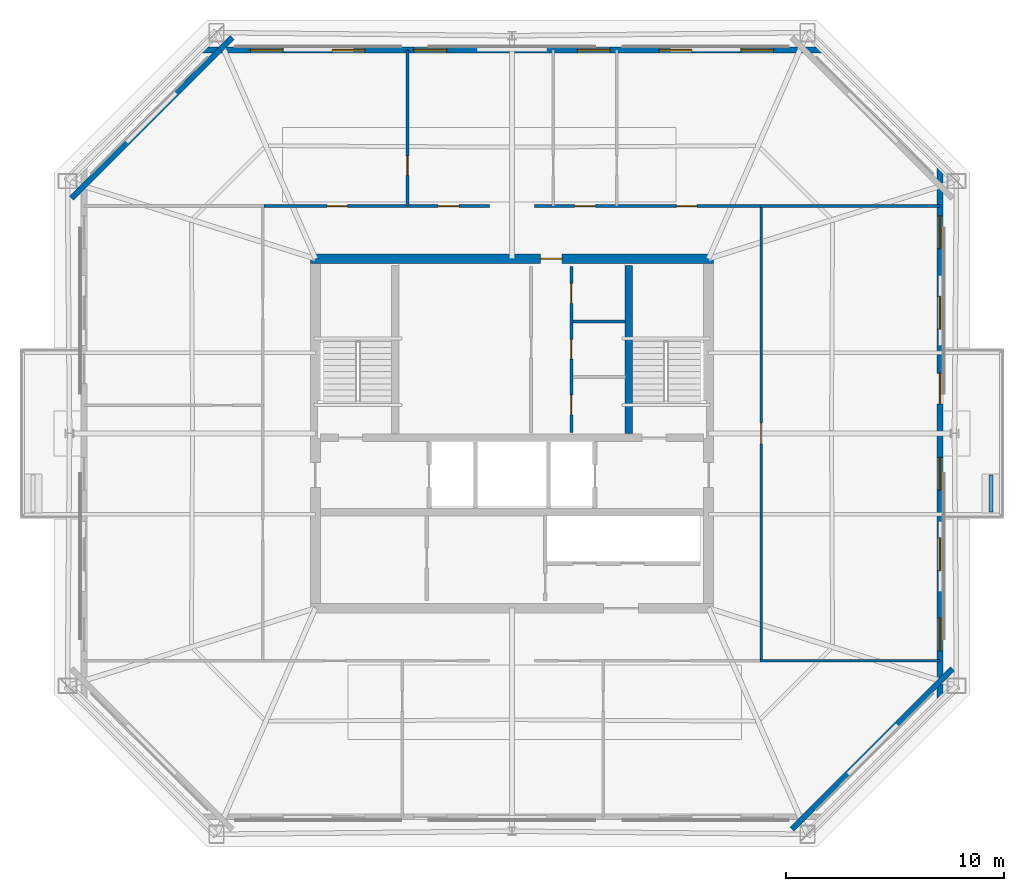
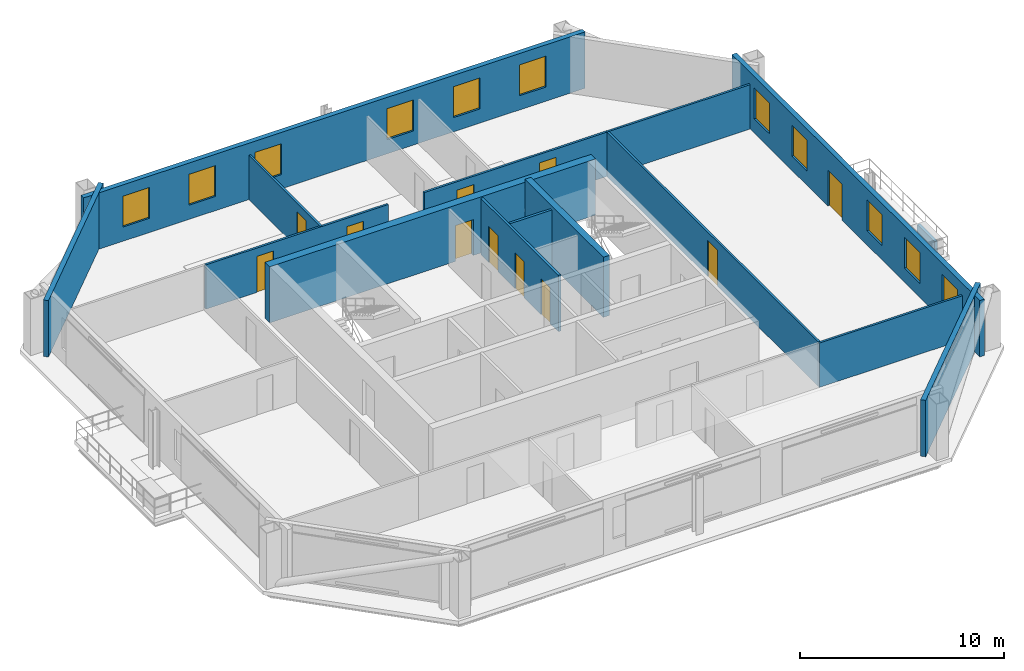
# One storey, part 4 of 7: 15 walls, 11 doors, 11 windows, 22 openings.
"""IFC4 building model written with IfcOpenShell, lengths in metres."""

from ifc_helpers import new_model, si_unit, direction, frame, frame_2d, origin, place, context, subcontext, project, spatial, rectangle, extrude, material, layer, layer_set, type_object, element, fill, save


model = new_model("IFC4")

# Units and contexts
model_context = context("Model", 3, precision=1e-05, world=origin(), true_north=direction((0.0, 1.0)))
body_context = subcontext(model_context, "Body", "Model", "MODEL_VIEW")
ifc_project = project(units=[si_unit("LENGTHUNIT", "METRE"), si_unit("AREAUNIT", "SQUARE_METRE"), si_unit("VOLUMEUNIT", "CUBIC_METRE"), si_unit("PLANEANGLEUNIT", "RADIAN"), si_unit("MASSUNIT", "GRAM", prefix="KILO")], contexts=[model_context])

# Site, building, storey
site_placement = place(None, origin())
site = spatial("IfcSite", under=ifc_project, at=site_placement, CompositionType="ELEMENT")
building_placement = place(site_placement, origin())
building = spatial("IfcBuilding", under=site, at=building_placement, Name="Caelvoria Tower", CompositionType="ELEMENT")
storey_placement = place(building_placement, frame((0.0, 0.0, 220.199951171875)))
storey = spatial("IfcBuildingStorey", under=building, at=storey_placement, Name="L58", CompositionType="ELEMENT", Elevation=220.199951171875)

# Walls
ifc_material_1 = material(Name="Bronze-Clad Concrete C40/50", Category="concrete")
ifc_layer_1 = layer(ifc_material_1, 0.179931640625, Name="Bronze-Clad Concrete C40/50")
ifc_layer_set_1 = layer_set([ifc_layer_1], Name="Architectural Planter Kerb Wall 180 - Bronze-Clad Concrete C40/50")
wall_type_1 = type_object("IfcWallType", Name="Architectural Planter Kerb Wall 180", PredefinedType="PARAPET", material=ifc_layer_set_1)
wall_1_placement = place(storey_placement, frame((67.922607421875, 28.39990234375, 0.0), z_axis=(0.0, 0.0, 1.0), x_axis=(0.0, 1.0, 0.0)))
element("IfcWall", 1, at=wall_1_placement, inside=storey, type_object=wall_type_1, Name="Tree Balcony Planter Kerb PLANTER TB-L58-E", PredefinedType="PARAPET", context=body_context, shape_type="SweptSolid", body=[
    extrude(rectangle(XDim=1.7001953125, YDim=0.179931640625, at=frame_2d((0.85009765625, 0.0))), origin(), (0.0, 0.0, 1.0), 0.880126953125),
])
ifc_material_2 = material(Name="Concrete C50/60", Category="concrete")
ifc_layer_2 = layer(ifc_material_2, 0.35009765625, Name="Concrete C50/60")
ifc_layer_set_2 = layer_set([ifc_layer_2], Name="Core Internal Shear Wall 350 - Concrete C50/60")
wall_type_2 = type_object("IfcWallType", Name="Core Internal Shear Wall 350", PredefinedType="SHEAR", material=ifc_layer_set_2)
wall_2_placement = place(storey_placement, frame((51.35009765625, 32.0, 0.0), z_axis=(0.0, 0.0, 1.0), x_axis=(0.0, 1.0, 0.0)))
element("IfcWall", 2, at=wall_2_placement, inside=storey, type_object=wall_type_2, Name="Interior Partition IW-L58-ST2W", PredefinedType="SHEAR", context=body_context, shape_type="SweptSolid", body=[
    extrude(rectangle(XDim=7.699951171875, YDim=0.35009765625, at=frame_2d((3.85009765625, 0.0))), origin(), (0.0, 0.0, 1.0), 3.60009765625),
])

# Wall, openings, doors
ifc_material_3 = material(Name="Moisture-Resistant Gypsum on Steel Stud", Category="steel")
ifc_layer_3 = layer(ifc_material_3, 0.139892578125, Name="Moisture-Resistant Gypsum on Steel Stud")
ifc_layer_set_3 = layer_set([ifc_layer_3], Name="Core Sanitary Acoustic Partition Wall 140 - Moisture-Resistant Gypsum on Steel Stud")
wall_type_3 = type_object("IfcWallType", Name="Core Sanitary Acoustic Partition Wall 140", PredefinedType="PARTITIONING", material=ifc_layer_set_3)
wall_3_placement = place(storey_placement, frame((48.719970703125, 32.050048828125, 0.0), z_axis=(0.0, 0.0, 1.0), x_axis=(0.0, 1.0, 0.0)))
wall_3 = element("IfcWall", 3, at=wall_3_placement, inside=storey, type_object=wall_type_3, Name="Interior Partition IW-L58-C2R", PredefinedType="PARTITIONING", context=body_context, shape_type="SweptSolid", body=[
    extrude(rectangle(XDim=7.599853515625, YDim=0.139892578125, at=frame_2d((3.7998046875, 0.0))), origin(), (0.0, 0.0, 1.0), 3.375),
])
opening_1_placement = place(wall_3_placement, frame((0.800048828125, 0.0, 0.0)))
opening_1 = element("IfcOpeningElement", 4, at=opening_1_placement, cuts=wall_3, Name="Opening ID-04", PredefinedType="OPENING", context=body_context, shape_type="SweptSolid", body=[
    extrude(rectangle(XDim=0.89990234375, YDim=2.14990234375, at=frame_2d((0.449951171875, 1.074951171875))), frame((0.0, 0.079833984375, 0.0), z_axis=(0.0, -1.0, 0.0), x_axis=(1.0, 0.0, 0.0)), (0.0, 0.0, 1.0), 0.159912109375),
])
opening_2_placement = place(wall_3_placement, frame((3.35009765625, 0.0, 0.0)))
opening_2 = element("IfcOpeningElement", 5, at=opening_2_placement, cuts=wall_3, Name="Opening ID-06", PredefinedType="OPENING", context=body_context, shape_type="SweptSolid", body=[
    extrude(rectangle(XDim=0.89990234375, YDim=2.14990234375, at=frame_2d((0.449951171875, 1.074951171875))), frame((0.0, 0.079833984375, 0.0), z_axis=(0.0, -1.0, 0.0), x_axis=(1.0, 0.0, 0.0)), (0.0, 0.0, 1.0), 0.159912109375),
])
opening_3_placement = place(wall_3_placement, frame((5.89990234375, 0.0, 0.0)))
opening_3 = element("IfcOpeningElement", 6, at=opening_3_placement, cuts=wall_3, Name="Opening ID-07", PredefinedType="OPENING", context=body_context, shape_type="SweptSolid", body=[
    extrude(rectangle(XDim=0.919921875, YDim=2.14990234375, at=frame_2d((0.4599609375, 1.074951171875))), frame((0.0, 0.079833984375, 0.0), z_axis=(0.0, -1.0, 0.0), x_axis=(1.0, 0.0, 0.0)), (0.0, 0.0, 1.0), 0.159912109375),
])
ifc_material_4 = material(Name="Engineered Andean Oak Accessible Door", Category="wood")
door_type_1 = type_object("IfcDoorType", Name="Accessible WC Door 950x2150", OperationType="NOTDEFINED", PredefinedType="DOOR", material=ifc_material_4)
door_1_placement = place(opening_3_placement, origin())
door_1 = element("IfcDoor", 7, at=door_1_placement, inside=storey, type_object=door_type_1, Name="Interior Door DR-L58-C2E3", OperationType="SINGLE_SWING_RIGHT", OverallHeight=2.14990234375, OverallWidth=0.919921875, PredefinedType="DOOR", context=body_context, shape_type="SweptSolid", body=[
    extrude(rectangle(XDim=0.919921875, YDim=2.14990234375, at=frame_2d((0.4599609375, 1.074951171875))), frame((0.0, 0.02490234375, 0.0), z_axis=(0.0, -1.0, 0.0), x_axis=(1.0, 0.0, 0.0)), (0.0, 0.0, 1.0), 0.050048828125),
])
fill(opening_3, door_1)
ifc_material_5 = material(Name="Acoustic Timber Fire Door", Category="wood")
door_type_2 = type_object("IfcDoorType", Name="Fire Door FD30S 900x2150", OperationType="NOTDEFINED", PredefinedType="DOOR", material=ifc_material_5)
door_2_placement = place(opening_1_placement, origin())
door_2 = element("IfcDoor", 8, at=door_2_placement, inside=storey, type_object=door_type_2, Name="Interior Door DR-L58-C2E1", OperationType="SINGLE_SWING_RIGHT", OverallHeight=2.14990234375, OverallWidth=0.89990234375, PredefinedType="DOOR", context=body_context, shape_type="SweptSolid", body=[
    extrude(rectangle(XDim=0.89990234375, YDim=2.14990234375, at=frame_2d((0.449951171875, 1.074951171875))), frame((0.0, 0.02490234375, 0.0), z_axis=(0.0, -1.0, 0.0), x_axis=(1.0, 0.0, 0.0)), (0.0, 0.0, 1.0), 0.050048828125),
])
fill(opening_1, door_2)
ifc_material_6 = material(Name="Engineered Andean Oak Veneer Door", Category="wood")
door_type_3 = type_object("IfcDoorType", Name="Interior Timber Door 900x2150", OperationType="NOTDEFINED", PredefinedType="DOOR", material=ifc_material_6)
door_3_placement = place(opening_2_placement, origin())
door_3 = element("IfcDoor", 9, at=door_3_placement, inside=storey, type_object=door_type_3, Name="Interior Door DR-L58-C2E2", OperationType="SINGLE_SWING_LEFT", OverallHeight=2.14990234375, OverallWidth=0.89990234375, PredefinedType="DOOR", context=body_context, shape_type="SweptSolid", body=[
    extrude(rectangle(XDim=0.89990234375, YDim=2.14990234375, at=frame_2d((0.449951171875, 1.074951171875))), frame((0.0, 0.02490234375, 0.0), z_axis=(0.0, -1.0, 0.0), x_axis=(1.0, 0.0, 0.0)), (0.0, 0.0, 1.0), 0.050048828125),
])
fill(opening_2, door_3)

# Wall
wall_4_placement = place(storey_placement, frame((48.800048828125, 37.1201171875, 0.0), z_axis=(0.0, 0.0, 1.0), x_axis=(1.0, 0.0, 0.0)))
element("IfcWall", 10, at=wall_4_placement, inside=storey, type_object=wall_type_3, Name="Interior Partition IW-L58-C2H2", PredefinedType="PARTITIONING", context=body_context, shape_type="SweptSolid", body=[
    extrude(rectangle(XDim=2.39990234375, YDim=0.139892578125, at=frame_2d((1.199951171875, 0.0))), origin(), (0.0, 0.0, 1.0), 3.375),
])

# Wall, opening, door
ifc_material_7 = material(Name="Acoustic Gypsum Board on Light-Gauge Stud", Category="gypsum")
ifc_layer_4 = layer(ifc_material_7, 0.1201171875, Name="Acoustic Gypsum Board on Light-Gauge Stud")
ifc_layer_set_4 = layer_set([ifc_layer_4], Name="Tenant Suite Acoustic Partition Wall 120 - Acoustic Gypsum Board on Light-Gauge Stud")
wall_type_4 = type_object("IfcWallType", Name="Tenant Suite Acoustic Partition Wall 120", PredefinedType="PARTITIONING", material=ifc_layer_set_4)
wall_5_placement = place(storey_placement, frame((41.217041015625, 42.409912109375, 0.0), z_axis=(0.0, 0.0, 1.0), x_axis=(0.0, 1.0, 0.0)))
wall_5 = element("IfcWall", 11, at=wall_5_placement, inside=storey, type_object=wall_type_4, Name="Interior Partition IW-L58-ND-00-0", PredefinedType="PARTITIONING", context=body_context, shape_type="SweptSolid", body=[
    extrude(rectangle(XDim=7.137451171875, YDim=0.1201171875, at=frame_2d((3.56884765625, 0.0))), origin(), (0.0, 0.0, 1.0), 2.655029296875),
])
opening_4_placement = place(wall_5_placement, frame((1.39990234375, 0.0, 0.0)))
opening_4 = element("IfcOpeningElement", 12, at=opening_4_placement, cuts=wall_5, Name="Opening ID-06", PredefinedType="OPENING", context=body_context, shape_type="SweptSolid", body=[
    extrude(rectangle(XDim=0.89990234375, YDim=2.14990234375, at=frame_2d((0.449951171875, 1.074951171875))), frame((0.0, 0.070068359375, 0.0), z_axis=(0.0, -1.0, 0.0), x_axis=(1.0, 0.0, 0.0)), (0.0, 0.0, 1.0), 0.14013671875),
])
door_4_placement = place(opening_4_placement, origin())
door_4 = element("IfcDoor", 13, at=door_4_placement, inside=storey, type_object=door_type_3, Name="Interior Door DR-L58-NM-00-0", OperationType="SINGLE_SWING_RIGHT", OverallHeight=2.14990234375, OverallWidth=0.89990234375, PredefinedType="DOOR", context=body_context, shape_type="SweptSolid", body=[
    extrude(rectangle(XDim=0.89990234375, YDim=2.14990234375, at=frame_2d((0.449951171875, 1.074951171875))), frame((0.0, 0.02490234375, 0.0), z_axis=(0.0, -1.0, 0.0), x_axis=(1.0, 0.0, 0.0)), (0.0, 0.0, 1.0), 0.050048828125),
])
fill(opening_4, door_4)

# Wall, openings, doors
wall_6_placement = place(storey_placement, frame((34.64990234375, 42.409912109375, 0.0), z_axis=(0.0, 0.0, 1.0), x_axis=(1.0, 0.0, 0.0)))
wall_6 = element("IfcWall", 14, at=wall_6_placement, inside=storey, type_object=wall_type_4, Name="Interior Partition IW-L58-NCW-0", PredefinedType="PARTITIONING", context=body_context, shape_type="SweptSolid", body=[
    extrude(rectangle(XDim=10.330078125, YDim=0.1201171875, at=frame_2d((5.1650390625, 0.0))), origin(), (0.0, 0.0, 1.0), 2.655029296875),
])
opening_5_placement = place(wall_6_placement, frame((2.87841796875, 0.0, 0.0)))
opening_5 = element("IfcOpeningElement", 15, at=opening_5_placement, cuts=wall_6, Name="Opening ID-05", PredefinedType="OPENING", context=body_context, shape_type="SweptSolid", body=[
    extrude(rectangle(XDim=0.949951171875, YDim=2.14990234375, at=frame_2d((0.47509765625, 1.074951171875))), frame((0.0, 0.070068359375, 0.0), z_axis=(0.0, -1.0, 0.0), x_axis=(1.0, 0.0, 0.0)), (0.0, 0.0, 1.0), 0.14013671875),
])
opening_6_placement = place(wall_6_placement, frame((7.9736328125, 0.0, 0.0)))
opening_6 = element("IfcOpeningElement", 16, at=opening_6_placement, cuts=wall_6, Name="Opening ID-05", PredefinedType="OPENING", context=body_context, shape_type="SweptSolid", body=[
    extrude(rectangle(XDim=0.949951171875, YDim=2.14990234375, at=frame_2d((0.47509765625, 1.074951171875))), frame((0.0, 0.070068359375, 0.0), z_axis=(0.0, -1.0, 0.0), x_axis=(1.0, 0.0, 0.0)), (0.0, 0.0, 1.0), 0.14013671875),
])
door_type_4 = type_object("IfcDoorType", Name="Interior Timber Door 950x2150", OperationType="NOTDEFINED", PredefinedType="DOOR", material=ifc_material_6)
door_5_placement = place(opening_5_placement, origin())
door_5 = element("IfcDoor", 17, at=door_5_placement, inside=storey, type_object=door_type_4, Name="Interior Door DR-L58-NC-00-0", OperationType="SINGLE_SWING_LEFT", OverallHeight=2.14990234375, OverallWidth=0.949951171875, PredefinedType="DOOR", context=body_context, shape_type="SweptSolid", body=[
    extrude(rectangle(XDim=0.949951171875, YDim=2.14990234375, at=frame_2d((0.47509765625, 1.074951171875))), frame((0.0, 0.02490234375, 0.0), z_axis=(0.0, -1.0, 0.0), x_axis=(1.0, 0.0, 0.0)), (0.0, 0.0, 1.0), 0.050048828125),
])
fill(opening_5, door_5)
door_6_placement = place(opening_6_placement, origin())
door_6 = element("IfcDoor", 18, at=door_6_placement, inside=storey, type_object=door_type_4, Name="Interior Door DR-L58-NC-01-0", OperationType="SINGLE_SWING_RIGHT", OverallHeight=2.14990234375, OverallWidth=0.949951171875, PredefinedType="DOOR", context=body_context, shape_type="SweptSolid", body=[
    extrude(rectangle(XDim=0.949951171875, YDim=2.14990234375, at=frame_2d((0.47509765625, 1.074951171875))), frame((0.0, 0.02490234375, 0.0), z_axis=(0.0, -1.0, 0.0), x_axis=(1.0, 0.0, 0.0)), (0.0, 0.0, 1.0), 0.050048828125),
])
fill(opening_6, door_6)

wall_7_placement = place(storey_placement, frame((47.02001953125, 42.409912109375, 0.0), z_axis=(0.0, 0.0, 1.0), x_axis=(1.0, 0.0, 0.0)))
wall_7 = element("IfcWall", 19, at=wall_7_placement, inside=storey, type_object=wall_type_4, Name="Interior Partition IW-L58-NCW-1", PredefinedType="PARTITIONING", context=body_context, shape_type="SweptSolid", body=[
    extrude(rectangle(XDim=10.330078125, YDim=0.1201171875, at=frame_2d((5.1650390625, 0.0))), origin(), (0.0, 0.0, 1.0), 2.655029296875),
])
opening_7_placement = place(wall_7_placement, frame((1.845703125, 0.0, 0.0)))
opening_7 = element("IfcOpeningElement", 20, at=opening_7_placement, cuts=wall_7, Name="Opening ID-05", PredefinedType="OPENING", context=body_context, shape_type="SweptSolid", body=[
    extrude(rectangle(XDim=0.949951171875, YDim=2.14990234375, at=frame_2d((0.47509765625, 1.074951171875))), frame((0.0, 0.070068359375, 0.0), z_axis=(0.0, -1.0, 0.0), x_axis=(1.0, 0.0, 0.0)), (0.0, 0.0, 1.0), 0.14013671875),
])
opening_8_placement = place(wall_7_placement, frame((6.508544921875, 0.0, 0.0)))
opening_8 = element("IfcOpeningElement", 21, at=opening_8_placement, cuts=wall_7, Name="Opening ID-05", PredefinedType="OPENING", context=body_context, shape_type="SweptSolid", body=[
    extrude(rectangle(XDim=0.949951171875, YDim=2.14990234375, at=frame_2d((0.47509765625, 1.074951171875))), frame((0.0, 0.070068359375, 0.0), z_axis=(0.0, -1.0, 0.0), x_axis=(1.0, 0.0, 0.0)), (0.0, 0.0, 1.0), 0.14013671875),
])
door_7_placement = place(opening_7_placement, origin())
door_7 = element("IfcDoor", 22, at=door_7_placement, inside=storey, type_object=door_type_4, Name="Interior Door DR-L58-NC-02-0", OperationType="SINGLE_SWING_LEFT", OverallHeight=2.14990234375, OverallWidth=0.949951171875, PredefinedType="DOOR", context=body_context, shape_type="SweptSolid", body=[
    extrude(rectangle(XDim=0.949951171875, YDim=2.14990234375, at=frame_2d((0.47509765625, 1.074951171875))), frame((0.0, 0.02490234375, 0.0), z_axis=(0.0, -1.0, 0.0), x_axis=(1.0, 0.0, 0.0)), (0.0, 0.0, 1.0), 0.050048828125),
])
fill(opening_7, door_7)
door_8_placement = place(opening_8_placement, origin())
door_8 = element("IfcDoor", 23, at=door_8_placement, inside=storey, type_object=door_type_4, Name="Interior Door DR-L58-NC-03-0", OperationType="SINGLE_SWING_RIGHT", OverallHeight=2.14990234375, OverallWidth=0.949951171875, PredefinedType="DOOR", context=body_context, shape_type="SweptSolid", body=[
    extrude(rectangle(XDim=0.949951171875, YDim=2.14990234375, at=frame_2d((0.47509765625, 1.074951171875))), frame((0.0, 0.02490234375, 0.0), z_axis=(0.0, -1.0, 0.0), x_axis=(1.0, 0.0, 0.0)), (0.0, 0.0, 1.0), 0.050048828125),
])
fill(opening_8, door_8)

# Wall, opening, door
wall_8_placement = place(storey_placement, frame((57.409912109375, 21.64990234375, 0.0), z_axis=(0.0, 0.0, 1.0), x_axis=(0.0, 1.0, 0.0)))
wall_8 = element("IfcWall", 24, at=wall_8_placement, inside=storey, type_object=wall_type_4, Name="Interior Partition IW-L58-ECW-0", PredefinedType="PARTITIONING", context=body_context, shape_type="SweptSolid", body=[
    extrude(rectangle(XDim=20.7001953125, YDim=0.1201171875, at=frame_2d((10.35009765625, 0.0))), origin(), (0.0, 0.0, 1.0), 2.655029296875),
])
opening_9_placement = place(wall_8_placement, frame((9.875, 0.0, 0.0)))
opening_9 = element("IfcOpeningElement", 25, at=opening_9_placement, cuts=wall_8, Name="Opening ID-05", PredefinedType="OPENING", context=body_context, shape_type="SweptSolid", body=[
    extrude(rectangle(XDim=0.949951171875, YDim=2.14990234375, at=frame_2d((0.47509765625, 1.074951171875))), frame((0.0, 0.070068359375, 0.0), z_axis=(0.0, -1.0, 0.0), x_axis=(1.0, 0.0, 0.0)), (0.0, 0.0, 1.0), 0.14013671875),
])
door_9_placement = place(opening_9_placement, origin())
door_9 = element("IfcDoor", 26, at=door_9_placement, inside=storey, type_object=door_type_4, Name="Interior Door DR-L58-EC-00-0", OperationType="SINGLE_SWING_LEFT", OverallHeight=2.14990234375, OverallWidth=0.949951171875, PredefinedType="DOOR", context=body_context, shape_type="SweptSolid", body=[
    extrude(rectangle(XDim=0.949951171875, YDim=2.14990234375, at=frame_2d((0.47509765625, 1.074951171875))), frame((0.0, 0.02490234375, 0.0), z_axis=(0.0, -1.0, 0.0), x_axis=(1.0, 0.0, 0.0)), (0.0, 0.0, 1.0), 0.050048828125),
])
fill(opening_9, door_9)

# Walls
for number, where, z_axis, x_axis, name in (
    (27, (57.35009765625, 21.590087890625, 0.0), (0.0, 0.0, 1.0), (1.0, 0.0, 0.0), "Interior Partition IW-L58-BSE-0"),
    (28, (57.35009765625, 42.409912109375, 0.0), (0.0, 0.0, 1.0), (1.0, 0.0, 0.0), "Interior Partition IW-L58-BNE-0"),
):
    element("IfcWall", number, at=place(storey_placement, frame(where, z_axis=z_axis, x_axis=x_axis)), inside=storey, type_object=wall_type_4, Name=name, PredefinedType="PARTITIONING", context=body_context, shape_type="SweptSolid", body=[
        extrude(rectangle(XDim=8.24267578125, YDim=0.1201171875, at=frame_2d((4.121337890625, 0.0))), origin(), (0.0, 0.0, 1.0), 2.655029296875),
    ])

# Wall, opening, door
ifc_layer_5 = layer(ifc_material_2, 0.449951171875, Name="Concrete C50/60")
ifc_layer_set_5 = layer_set([ifc_layer_5], Name="Upper Core Shear Wall 450 - Concrete C50/60")
wall_type_5 = type_object("IfcWallType", Name="Upper Core Shear Wall 450", PredefinedType="SHEAR", material=ifc_layer_set_5)
wall_9_placement = place(storey_placement, frame((36.77490234375, 40.0, 0.0), z_axis=(0.0, 0.0, 1.0), x_axis=(1.0, 0.0, 0.0)))
wall_9 = element("IfcWall", 29, at=wall_9_placement, inside=storey, type_object=wall_type_5, Name="Core Shear Wall L58 N", PredefinedType="SHEAR", context=body_context, shape_type="SweptSolid", body=[
    extrude(rectangle(XDim=18.4501953125, YDim=0.449951171875, at=frame_2d((9.22509765625, 0.0))), origin(), (0.0, 0.0, 1.0), 3.360107421875),
])
opening_10_placement = place(wall_9_placement, frame((10.52490234375, 0.0, 0.0)))
opening_10 = element("IfcOpeningElement", 30, at=opening_10_placement, cuts=wall_9, Name="Opening ID-03", PredefinedType="OPENING", context=body_context, shape_type="SweptSolid", body=[
    extrude(rectangle(XDim=1.0, YDim=2.14990234375, at=frame_2d((0.5, 1.074951171875))), frame((0.0, 0.23486328125, 0.0), z_axis=(0.0, -1.0, 0.0), x_axis=(1.0, 0.0, 0.0)), (0.0, 0.0, 1.0), 0.469970703125),
])
ifc_material_8 = material(Name="Painted Hollow Steel Fire Door", Category="steel")
door_type_5 = type_object("IfcDoorType", Name="Fire Door FD60S 1000x2150", OperationType="NOTDEFINED", PredefinedType="DOOR", material=ifc_material_8)
door_10_placement = place(opening_10_placement, origin())
door_10 = element("IfcDoor", 31, at=door_10_placement, inside=storey, type_object=door_type_5, Name="Core Door DR-L58-WC-MAIN", OperationType="SINGLE_SWING_RIGHT", OverallHeight=2.14990234375, OverallWidth=1.0, PredefinedType="DOOR", context=body_context, shape_type="SweptSolid", body=[
    extrude(rectangle(XDim=1.0, YDim=2.14990234375, at=frame_2d((0.5, 1.074951171875))), frame((0.0, 0.02490234375, 0.0), z_axis=(0.0, -1.0, 0.0), x_axis=(1.0, 0.0, 0.0)), (0.0, 0.0, 1.0), 0.050048828125),
])
fill(opening_10, door_10)

# Wall
ifc_material_9 = material(Name="Precast Concrete C40/50 with Bronze Cladding", Category="concrete")
ifc_layer_6 = layer(ifc_material_9, 0.264892578125, Name="Precast Concrete C40/50 with Bronze Cladding")
ifc_layer_set_6 = layer_set([ifc_layer_6], Name="Upper Taper Precast Concrete C40/50 Bronze Facade Wall 265 - Precast Concrete C40/50 with Bronze Cladding")
wall_type_6 = type_object("IfcWallType", Name="Upper Taper Precast Concrete C40/50 Bronze Facade Wall 265", PredefinedType="STANDARD", material=ifc_layer_set_6)
wall_10_placement = place(storey_placement, frame((58.80908203125, 13.87890625, 0.0), z_axis=(0.0, 0.0, 1.0), x_axis=(0.707106781187, 0.707106781187, 0.0)))
element("IfcWall", 32, at=wall_10_placement, inside=storey, type_object=wall_type_6, Name="Exterior Facade Wall L58-E1", PredefinedType="STANDARD", context=body_context, shape_type="SweptSolid", body=[
    extrude(rectangle(XDim=10.405029296875, YDim=0.264892578125, at=frame_2d((5.20263671875, 0.0))), origin(), (0.0, 0.0, 1.0), 3.375),
])

# Wall, openings, door, windows
wall_11_placement = place(storey_placement, frame((65.5927734375, 19.850830078125, 0.0), z_axis=(0.0, 0.0, 1.0), x_axis=(0.0, 1.0, 0.0)))
wall_11 = element("IfcWall", 33, at=wall_11_placement, inside=storey, type_object=wall_type_6, Name="Exterior Facade Wall L58-E2", PredefinedType="STANDARD", context=body_context, shape_type="SweptSolid", body=[
    extrude(rectangle(XDim=24.29833984375, YDim=0.264892578125, at=frame_2d((12.149169921875, 0.0))), origin(), (0.0, 0.0, 1.0), 3.375),
])
opening_11_placement = place(wall_11_placement, frame((13.4990234375, 0.0, 0.0)))
opening_11 = element("IfcOpeningElement", 34, at=opening_11_placement, cuts=wall_11, Name="Opening ED-04", PredefinedType="OPENING", context=body_context, shape_type="SweptSolid", body=[
    extrude(rectangle(XDim=1.39990234375, YDim=2.14990234375, at=frame_2d((0.699951171875, 1.074951171875))), frame((0.0, 0.142333984375, 0.0), z_axis=(0.0, -1.0, 0.0), x_axis=(1.0, 0.0, 0.0)), (0.0, 0.0, 1.0), 0.284912109375),
])
opening_12_placement = place(wall_11_placement, frame((2.19140625, 0.0, 0.85009765625)))
opening_12 = element("IfcOpeningElement", 35, at=opening_12_placement, cuts=wall_11, Name="Opening WN-03", PredefinedType="OPENING", context=body_context, shape_type="SweptSolid", body=[
    extrude(rectangle(XDim=1.5, YDim=1.85009765625, at=frame_2d((0.75, 0.925048828125))), frame((0.0, 0.142333984375, 0.0), z_axis=(0.0, -1.0, 0.0), x_axis=(1.0, 0.0, 0.0)), (0.0, 0.0, 1.0), 0.284912109375),
])
opening_13_placement = place(wall_11_placement, frame((5.87451171875, 0.0, 0.85009765625)))
opening_13 = element("IfcOpeningElement", 36, at=opening_13_placement, cuts=wall_11, Name="Opening WN-03", PredefinedType="OPENING", context=body_context, shape_type="SweptSolid", body=[
    extrude(rectangle(XDim=1.5, YDim=1.85009765625, at=frame_2d((0.75, 0.925048828125))), frame((0.0, 0.142333984375, 0.0), z_axis=(0.0, -1.0, 0.0), x_axis=(1.0, 0.0, 0.0)), (0.0, 0.0, 1.0), 0.284912109375),
])
opening_14_placement = place(wall_11_placement, frame((9.5576171875, 0.0, 0.85009765625)))
opening_14 = element("IfcOpeningElement", 37, at=opening_14_placement, cuts=wall_11, Name="Opening WN-03", PredefinedType="OPENING", context=body_context, shape_type="SweptSolid", body=[
    extrude(rectangle(XDim=1.5, YDim=1.85009765625, at=frame_2d((0.75, 0.925048828125))), frame((0.0, 0.142333984375, 0.0), z_axis=(0.0, -1.0, 0.0), x_axis=(1.0, 0.0, 0.0)), (0.0, 0.0, 1.0), 0.284912109375),
])
opening_15_placement = place(wall_11_placement, frame((16.923583984375, 0.0, 0.85009765625)))
opening_15 = element("IfcOpeningElement", 38, at=opening_15_placement, cuts=wall_11, Name="Opening WN-03", PredefinedType="OPENING", context=body_context, shape_type="SweptSolid", body=[
    extrude(rectangle(XDim=1.5, YDim=1.85009765625, at=frame_2d((0.75, 0.925048828125))), frame((0.0, 0.142333984375, 0.0), z_axis=(0.0, -1.0, 0.0), x_axis=(1.0, 0.0, 0.0)), (0.0, 0.0, 1.0), 0.284912109375),
])
opening_16_placement = place(wall_11_placement, frame((20.606689453125, 0.0, 0.85009765625)))
opening_16 = element("IfcOpeningElement", 39, at=opening_16_placement, cuts=wall_11, Name="Opening WN-03", PredefinedType="OPENING", context=body_context, shape_type="SweptSolid", body=[
    extrude(rectangle(XDim=1.5, YDim=1.85009765625, at=frame_2d((0.75, 0.925048828125))), frame((0.0, 0.142333984375, 0.0), z_axis=(0.0, -1.0, 0.0), x_axis=(1.0, 0.0, 0.0)), (0.0, 0.0, 1.0), 0.284912109375),
])
ifc_material_10 = material(Name="Anodised Bronze Aluminium and Laminated Glass", Category="aluminium")
door_type_6 = type_object("IfcDoorType", Name="Tree Balcony Glazed Door 1400x2150", OperationType="NOTDEFINED", PredefinedType="DOOR", material=ifc_material_10)
door_11_placement = place(opening_11_placement, origin())
door_11 = element("IfcDoor", 40, at=door_11_placement, inside=storey, type_object=door_type_6, Name="Tree Balcony Door L58-E", OperationType="SINGLE_SWING_LEFT", OverallHeight=2.14990234375, OverallWidth=1.39990234375, PredefinedType="DOOR", context=body_context, shape_type="SweptSolid", body=[
    extrude(rectangle(XDim=1.39990234375, YDim=2.14990234375, at=frame_2d((0.699951171875, 1.074951171875))), frame((0.0, 0.02490234375, 0.0), z_axis=(0.0, -1.0, 0.0), x_axis=(1.0, 0.0, 0.0)), (0.0, 0.0, 1.0), 0.050048828125),
])
fill(opening_11, door_11)
ifc_material_11 = material(Name="Low-E Tinted Glass in Bronze Aluminium Frame", Category="aluminium")
window_type = type_object("IfcWindowType", Name="Upper Taper Vision Window 1500x1850", PartitioningType="SINGLE_PANEL", PredefinedType="WINDOW", material=ifc_material_11)
window_1_placement = place(opening_12_placement, origin())
window_1 = element("IfcWindow", 41, at=window_1_placement, inside=storey, type_object=window_type, Name="Facade Window L58-E2-00", OverallHeight=1.85009765625, OverallWidth=1.5, PartitioningType="SINGLE_PANEL", PredefinedType="WINDOW", context=body_context, shape_type="SweptSolid", body=[
    extrude(rectangle(XDim=1.5, YDim=1.85009765625, at=frame_2d((0.75, 0.925048828125))), frame((0.0, 0.030029296875, 0.0), z_axis=(0.0, -1.0, 0.0), x_axis=(1.0, 0.0, 0.0)), (0.0, 0.0, 1.0), 0.06005859375),
])
fill(opening_12, window_1)
window_2_placement = place(opening_13_placement, origin())
window_2 = element("IfcWindow", 42, at=window_2_placement, inside=storey, type_object=window_type, Name="Facade Window L58-E2-01", OverallHeight=1.85009765625, OverallWidth=1.5, PartitioningType="SINGLE_PANEL", PredefinedType="WINDOW", context=body_context, shape_type="SweptSolid", body=[
    extrude(rectangle(XDim=1.5, YDim=1.85009765625, at=frame_2d((0.75, 0.925048828125))), frame((0.0, 0.030029296875, 0.0), z_axis=(0.0, -1.0, 0.0), x_axis=(1.0, 0.0, 0.0)), (0.0, 0.0, 1.0), 0.06005859375),
])
fill(opening_13, window_2)
window_3_placement = place(opening_14_placement, origin())
window_3 = element("IfcWindow", 43, at=window_3_placement, inside=storey, type_object=window_type, Name="Facade Window L58-E2-02", OverallHeight=1.85009765625, OverallWidth=1.5, PartitioningType="SINGLE_PANEL", PredefinedType="WINDOW", context=body_context, shape_type="SweptSolid", body=[
    extrude(rectangle(XDim=1.5, YDim=1.85009765625, at=frame_2d((0.75, 0.925048828125))), frame((0.0, 0.030029296875, 0.0), z_axis=(0.0, -1.0, 0.0), x_axis=(1.0, 0.0, 0.0)), (0.0, 0.0, 1.0), 0.06005859375),
])
fill(opening_14, window_3)
window_4_placement = place(opening_15_placement, origin())
window_4 = element("IfcWindow", 44, at=window_4_placement, inside=storey, type_object=window_type, Name="Facade Window L58-E2-04", OverallHeight=1.85009765625, OverallWidth=1.5, PartitioningType="SINGLE_PANEL", PredefinedType="WINDOW", context=body_context, shape_type="SweptSolid", body=[
    extrude(rectangle(XDim=1.5, YDim=1.85009765625, at=frame_2d((0.75, 0.925048828125))), frame((0.0, 0.030029296875, 0.0), z_axis=(0.0, -1.0, 0.0), x_axis=(1.0, 0.0, 0.0)), (0.0, 0.0, 1.0), 0.06005859375),
])
fill(opening_15, window_4)
window_5_placement = place(opening_16_placement, origin())
window_5 = element("IfcWindow", 45, at=window_5_placement, inside=storey, type_object=window_type, Name="Facade Window L58-E2-05", OverallHeight=1.85009765625, OverallWidth=1.5, PartitioningType="SINGLE_PANEL", PredefinedType="WINDOW", context=body_context, shape_type="SweptSolid", body=[
    extrude(rectangle(XDim=1.5, YDim=1.85009765625, at=frame_2d((0.75, 0.925048828125))), frame((0.0, 0.030029296875, 0.0), z_axis=(0.0, -1.0, 0.0), x_axis=(1.0, 0.0, 0.0)), (0.0, 0.0, 1.0), 0.06005859375),
])
fill(opening_16, window_5)

# Wall, openings, windows
wall_12_placement = place(storey_placement, frame((60.194580078125, 49.54736328125, 0.0), z_axis=(0.0, 0.0, 1.0), x_axis=(-1.0, 0.0, 0.0)))
wall_12 = element("IfcWall", 46, at=wall_12_placement, inside=storey, type_object=wall_type_6, Name="Exterior Facade Wall L58-E4", PredefinedType="STANDARD", context=body_context, shape_type="SweptSolid", body=[
    extrude(rectangle(XDim=28.38916015625, YDim=0.264892578125, at=frame_2d((14.194580078125, 0.0))), origin(), (0.0, 0.0, 1.0), 3.375),
])
opening_17_placement = place(wall_12_placement, frame((2.220703125, 0.0, 0.85009765625)))
opening_17 = element("IfcOpeningElement", 47, at=opening_17_placement, cuts=wall_12, Name="Opening WN-03", PredefinedType="OPENING", context=body_context, shape_type="SweptSolid", body=[
    extrude(rectangle(XDim=1.5, YDim=1.85009765625, at=frame_2d((0.75, 0.925048828125))), frame((0.0, 0.142333984375, 0.0), z_axis=(0.0, -1.0, 0.0), x_axis=(1.0, 0.0, 0.0)), (0.0, 0.0, 1.0), 0.284912109375),
])
opening_18_placement = place(wall_12_placement, frame((5.9619140625, 0.0, 0.85009765625)))
opening_18 = element("IfcOpeningElement", 48, at=opening_18_placement, cuts=wall_12, Name="Opening WN-03", PredefinedType="OPENING", context=body_context, shape_type="SweptSolid", body=[
    extrude(rectangle(XDim=1.5, YDim=1.85009765625, at=frame_2d((0.75, 0.925048828125))), frame((0.0, 0.142333984375, 0.0), z_axis=(0.0, -1.0, 0.0), x_axis=(1.0, 0.0, 0.0)), (0.0, 0.0, 1.0), 0.284912109375),
])
opening_19_placement = place(wall_12_placement, frame((9.703125, 0.0, 0.85009765625)))
opening_19 = element("IfcOpeningElement", 49, at=opening_19_placement, cuts=wall_12, Name="Opening WN-03", PredefinedType="OPENING", context=body_context, shape_type="SweptSolid", body=[
    extrude(rectangle(XDim=1.5, YDim=1.85009765625, at=frame_2d((0.75, 0.925048828125))), frame((0.0, 0.142333984375, 0.0), z_axis=(0.0, -1.0, 0.0), x_axis=(1.0, 0.0, 0.0)), (0.0, 0.0, 1.0), 0.284912109375),
])
opening_20_placement = place(wall_12_placement, frame((17.185791015625, 0.0, 0.85009765625)))
opening_20 = element("IfcOpeningElement", 50, at=opening_20_placement, cuts=wall_12, Name="Opening WN-03", PredefinedType="OPENING", context=body_context, shape_type="SweptSolid", body=[
    extrude(rectangle(XDim=1.5, YDim=1.85009765625, at=frame_2d((0.75, 0.925048828125))), frame((0.0, 0.142333984375, 0.0), z_axis=(0.0, -1.0, 0.0), x_axis=(1.0, 0.0, 0.0)), (0.0, 0.0, 1.0), 0.284912109375),
])
opening_21_placement = place(wall_12_placement, frame((20.927001953125, 0.0, 0.85009765625)))
opening_21 = element("IfcOpeningElement", 51, at=opening_21_placement, cuts=wall_12, Name="Opening WN-03", PredefinedType="OPENING", context=body_context, shape_type="SweptSolid", body=[
    extrude(rectangle(XDim=1.5, YDim=1.85009765625, at=frame_2d((0.75, 0.925048828125))), frame((0.0, 0.142333984375, 0.0), z_axis=(0.0, -1.0, 0.0), x_axis=(1.0, 0.0, 0.0)), (0.0, 0.0, 1.0), 0.284912109375),
])
opening_22_placement = place(wall_12_placement, frame((24.66845703125, 0.0, 0.85009765625)))
opening_22 = element("IfcOpeningElement", 52, at=opening_22_placement, cuts=wall_12, Name="Opening WN-03", PredefinedType="OPENING", context=body_context, shape_type="SweptSolid", body=[
    extrude(rectangle(XDim=1.5, YDim=1.85009765625, at=frame_2d((0.75, 0.925048828125))), frame((0.0, 0.142333984375, 0.0), z_axis=(0.0, -1.0, 0.0), x_axis=(1.0, 0.0, 0.0)), (0.0, 0.0, 1.0), 0.284912109375),
])
window_6_placement = place(opening_17_placement, origin())
window_6 = element("IfcWindow", 53, at=window_6_placement, inside=storey, type_object=window_type, Name="Facade Window L58-E4-00", OverallHeight=1.85009765625, OverallWidth=1.5, PartitioningType="SINGLE_PANEL", PredefinedType="WINDOW", context=body_context, shape_type="SweptSolid", body=[
    extrude(rectangle(XDim=1.5, YDim=1.85009765625, at=frame_2d((0.75, 0.925048828125))), frame((0.0, 0.030029296875, 0.0), z_axis=(0.0, -1.0, 0.0), x_axis=(1.0, 0.0, 0.0)), (0.0, 0.0, 1.0), 0.06005859375),
])
fill(opening_17, window_6)
window_7_placement = place(opening_18_placement, origin())
window_7 = element("IfcWindow", 54, at=window_7_placement, inside=storey, type_object=window_type, Name="Facade Window L58-E4-01", OverallHeight=1.85009765625, OverallWidth=1.5, PartitioningType="SINGLE_PANEL", PredefinedType="WINDOW", context=body_context, shape_type="SweptSolid", body=[
    extrude(rectangle(XDim=1.5, YDim=1.85009765625, at=frame_2d((0.75, 0.925048828125))), frame((0.0, 0.030029296875, 0.0), z_axis=(0.0, -1.0, 0.0), x_axis=(1.0, 0.0, 0.0)), (0.0, 0.0, 1.0), 0.06005859375),
])
fill(opening_18, window_7)
window_8_placement = place(opening_19_placement, origin())
window_8 = element("IfcWindow", 55, at=window_8_placement, inside=storey, type_object=window_type, Name="Facade Window L58-E4-02", OverallHeight=1.85009765625, OverallWidth=1.5, PartitioningType="SINGLE_PANEL", PredefinedType="WINDOW", context=body_context, shape_type="SweptSolid", body=[
    extrude(rectangle(XDim=1.5, YDim=1.85009765625, at=frame_2d((0.75, 0.925048828125))), frame((0.0, 0.030029296875, 0.0), z_axis=(0.0, -1.0, 0.0), x_axis=(1.0, 0.0, 0.0)), (0.0, 0.0, 1.0), 0.06005859375),
])
fill(opening_19, window_8)
window_9_placement = place(opening_20_placement, origin())
window_9 = element("IfcWindow", 56, at=window_9_placement, inside=storey, type_object=window_type, Name="Facade Window L58-E4-04", OverallHeight=1.85009765625, OverallWidth=1.5, PartitioningType="SINGLE_PANEL", PredefinedType="WINDOW", context=body_context, shape_type="SweptSolid", body=[
    extrude(rectangle(XDim=1.5, YDim=1.85009765625, at=frame_2d((0.75, 0.925048828125))), frame((0.0, 0.030029296875, 0.0), z_axis=(0.0, -1.0, 0.0), x_axis=(1.0, 0.0, 0.0)), (0.0, 0.0, 1.0), 0.06005859375),
])
fill(opening_20, window_9)
window_10_placement = place(opening_21_placement, origin())
window_10 = element("IfcWindow", 57, at=window_10_placement, inside=storey, type_object=window_type, Name="Facade Window L58-E4-05", OverallHeight=1.85009765625, OverallWidth=1.5, PartitioningType="SINGLE_PANEL", PredefinedType="WINDOW", context=body_context, shape_type="SweptSolid", body=[
    extrude(rectangle(XDim=1.5, YDim=1.85009765625, at=frame_2d((0.75, 0.925048828125))), frame((0.0, 0.030029296875, 0.0), z_axis=(0.0, -1.0, 0.0), x_axis=(1.0, 0.0, 0.0)), (0.0, 0.0, 1.0), 0.06005859375),
])
fill(opening_21, window_10)
window_11_placement = place(opening_22_placement, origin())
window_11 = element("IfcWindow", 58, at=window_11_placement, inside=storey, type_object=window_type, Name="Facade Window L58-E4-06", OverallHeight=1.85009765625, OverallWidth=1.5, PartitioningType="SINGLE_PANEL", PredefinedType="WINDOW", context=body_context, shape_type="SweptSolid", body=[
    extrude(rectangle(XDim=1.5, YDim=1.85009765625, at=frame_2d((0.75, 0.925048828125))), frame((0.0, 0.030029296875, 0.0), z_axis=(0.0, -1.0, 0.0), x_axis=(1.0, 0.0, 0.0)), (0.0, 0.0, 1.0), 0.06005859375),
])
fill(opening_22, window_11)

# Wall
wall_13_placement = place(storey_placement, frame((33.19091796875, 50.12109375, 0.0), z_axis=(0.0, 0.0, 1.0), x_axis=(-0.707106781187, -0.707106781187, 0.0)))
element("IfcWall", 59, at=wall_13_placement, inside=storey, type_object=wall_type_6, Name="Exterior Facade Wall L58-E5", PredefinedType="STANDARD", context=body_context, shape_type="SweptSolid", body=[
    extrude(rectangle(XDim=10.405029296875, YDim=0.264892578125, at=frame_2d((5.20263671875, 0.0))), origin(), (0.0, 0.0, 1.0), 3.375),
])

save(model, "model.ifc")
